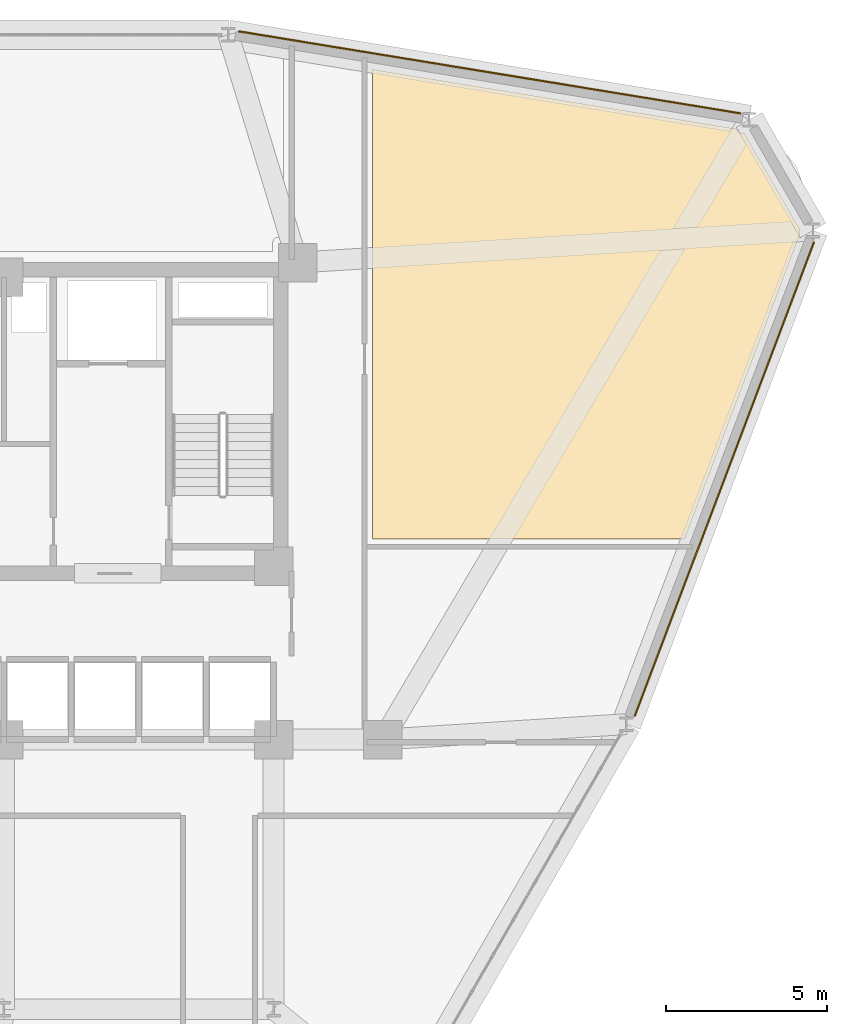
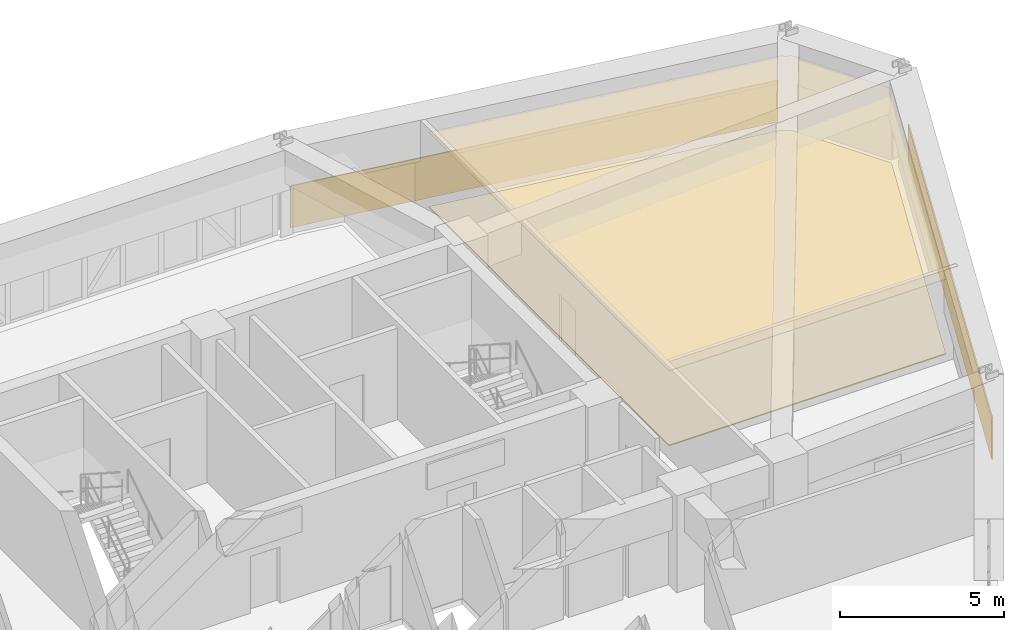
# One storey, part 15 of 15: 4 coverings.
"""IFC4 building model written with IfcOpenShell, lengths in metres."""

from ifc_helpers import new_model, si_unit, derived_unit, direction, frame, origin, place, context, subcontext, project, spatial, polyline, outline, extrude, material, layer, layer_set, type_object, element, save


model = new_model("IFC4")

# Units and contexts
model_context = context("Model", 3, precision=1e-05, world=origin(), true_north=direction((0.0, 1.0)))
body_context = subcontext(model_context, "Body", "Model", "MODEL_VIEW")
ifc_project = project(units=[si_unit("LENGTHUNIT", "METRE"), si_unit("AREAUNIT", "SQUARE_METRE"), si_unit("VOLUMEUNIT", "CUBIC_METRE"), si_unit("PLANEANGLEUNIT", "RADIAN"), si_unit("MASSUNIT", "GRAM", prefix="KILO"), derived_unit("THERMALTRANSMITTANCEUNIT", [(si_unit("POWERUNIT", "WATT"), 1), (si_unit("LENGTHUNIT", "METRE"), -2), (si_unit("THERMODYNAMICTEMPERATUREUNIT", "KELVIN"), -1)])], contexts=[model_context])

# Site, building, storey
site_placement = place(None, origin())
site = spatial("IfcSite", under=ifc_project, at=site_placement, CompositionType="ELEMENT")
building_placement = place(site_placement, origin())
building = spatial("IfcBuilding", under=site, at=building_placement, Name="Korsvarv Bourse and Concert Hall", CompositionType="ELEMENT")
storey_placement = place(building_placement, frame((0.0, 0.0, 109.800048828125)))
storey = spatial("IfcBuildingStorey", under=building, at=storey_placement, Name="L27", CompositionType="ELEMENT", Elevation=109.800048828125)

# Coverings
ifc_material_1 = material(Name="Perforated mineral-wool and birch acoustic baffle ceiling", Category="wood")
ifc_layer_1 = layer(ifc_material_1, 0.02490234375)
ifc_layer_set_1 = layer_set([ifc_layer_1], Name="Perforated mineral-wool and birch acoustic baffle ceiling")
covering_type_1 = type_object("IfcCoveringType", Name="COV-CEIL-1", PredefinedType="CEILING", material=ifc_layer_set_1)
covering_1_placement = place(storey_placement, frame((0.0, 0.0, 2.780029296875)))
element("IfcCovering", 1, at=covering_1_placement, inside=storey, type_object=covering_type_1, Name="L27 acoustic baffle ceiling 1", PredefinedType="CEILING", context=body_context, shape_type="SweptSolid", body=[
    extrude(outline(polyline([(58.816650390625, 51.41259765625), (58.830810546875, 51.379150390625), (58.851318359375, 51.349365234375), (58.877685546875, 51.324462890625), (58.908203125, 51.304931640625), (58.942138671875, 51.292236328125), (58.977783203125, 51.28662109375), (59.052490234375, 51.2822265625), (60.7958984375, 48.262451171875), (60.7958984375, 48.15771484375), (57.199951171875, 38.64990234375), (47.47998046875, 38.64990234375), (47.47998046875, 53.265869140625), (58.816650390625, 51.41259765625)])), origin(), (0.0, 0.0, 1.0), 0.02490234375),
])
ifc_material_2 = material(Name="Warm iron-oxide extruded terracotta rainscreen tile", Category="ceramic")
ifc_layer_2 = layer(ifc_material_2, 0.044921875)
ifc_layer_set_2 = layer_set([ifc_layer_2], Name="Warm iron-oxide extruded terracotta rainscreen tile")
covering_type_2 = type_object("IfcCoveringType", Name="COV-CLD-TC", PredefinedType="CLADDING", material=ifc_layer_set_2)
covering_2_placement = place(storey_placement, origin())
element("IfcCovering", 2, at=covering_2_placement, inside=storey, type_object=covering_type_2, Name="L27 fluted terracotta cladding panel EW-L27-B02", PredefinedType="CLADDING", context=body_context, shape_type="SweptSolid", body=[
    extrude(outline(polyline([(58.936279296875, 51.874755859375), (43.302734375, 54.429931640625), (43.31005859375, 54.474365234375), (58.943603515625, 51.919189453125), (58.936279296875, 51.874755859375)])), origin(), (0.0, 0.0, 1.0), 1.550048828125),
])
covering_3_placement = place(storey_placement, origin())
element("IfcCovering", 3, at=covering_3_placement, inside=storey, type_object=covering_type_2, Name="L27 fluted terracotta cladding panel EW-L27-B12", PredefinedType="CLADDING", context=body_context, shape_type="SweptSolid", body=[
    extrude(outline(polyline([(55.623291015625, 33.13916015625), (61.205078125, 47.896240234375), (61.2470703125, 47.88037109375), (55.66552734375, 33.123046875), (55.623291015625, 33.13916015625)])), origin(), (0.0, 0.0, 1.0), 1.550048828125),
])
ifc_material_3 = material(Name="Calcium-sulphate raised access trading floor with Nordic oak top", Category="wood")
ifc_layer_3 = layer(ifc_material_3, 0.0400390625)
ifc_layer_set_3 = layer_set([ifc_layer_3], Name="Calcium-sulphate raised access trading floor with Nordic oak top")
covering_type_3 = type_object("IfcCoveringType", Name="COV-FLOR-1", PredefinedType="FLOORING", material=ifc_layer_set_3)
covering_4_placement = place(storey_placement, origin())
element("IfcCovering", 4, at=covering_4_placement, inside=storey, type_object=covering_type_3, Name="L27 raised access oak floor finish 1", PredefinedType="FLOORING", context=body_context, shape_type="SweptSolid", body=[
    extrude(outline(polyline([(58.816650390625, 51.41259765625), (58.830810546875, 51.379150390625), (58.851318359375, 51.349365234375), (58.877685546875, 51.324462890625), (58.908203125, 51.304931640625), (58.942138671875, 51.292236328125), (58.977783203125, 51.28662109375), (59.052490234375, 51.2822265625), (60.7958984375, 48.262451171875), (60.7958984375, 48.15771484375), (57.199951171875, 38.64990234375), (47.47998046875, 38.64990234375), (47.47998046875, 53.265869140625), (58.816650390625, 51.41259765625)])), origin(), (0.0, 0.0, 1.0), 0.0400390625),
])

save(model, "model.ifc")
